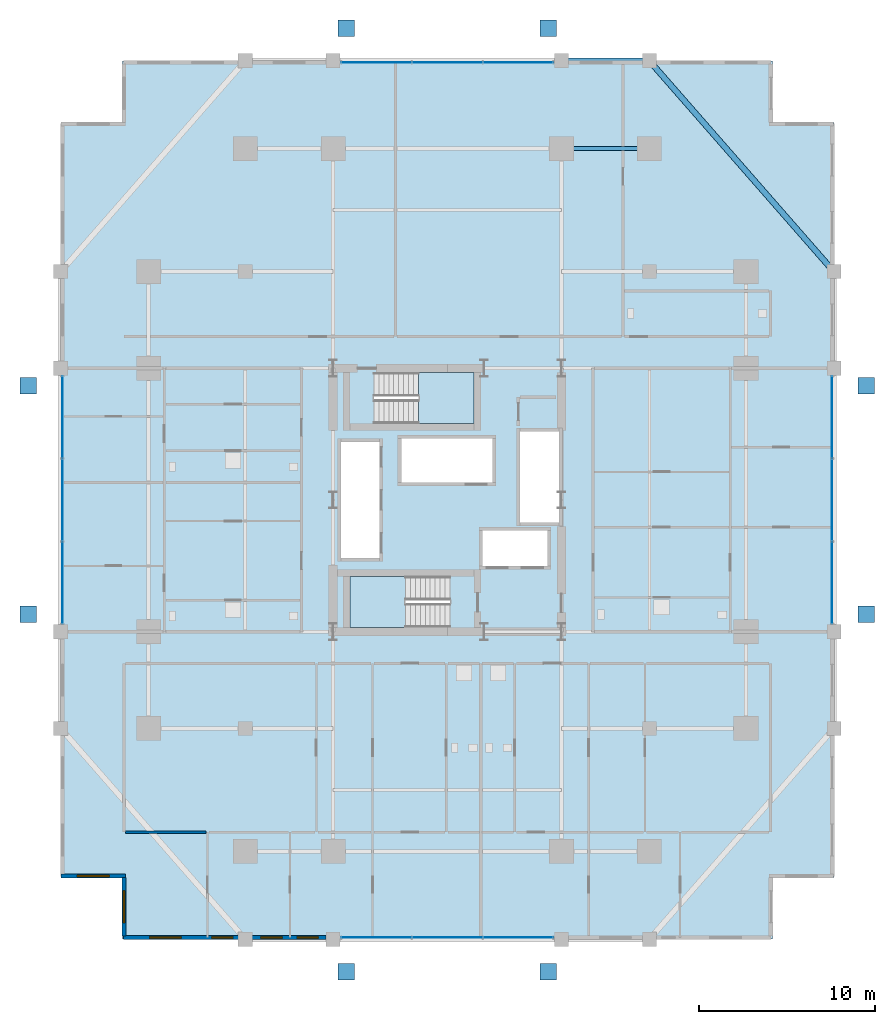
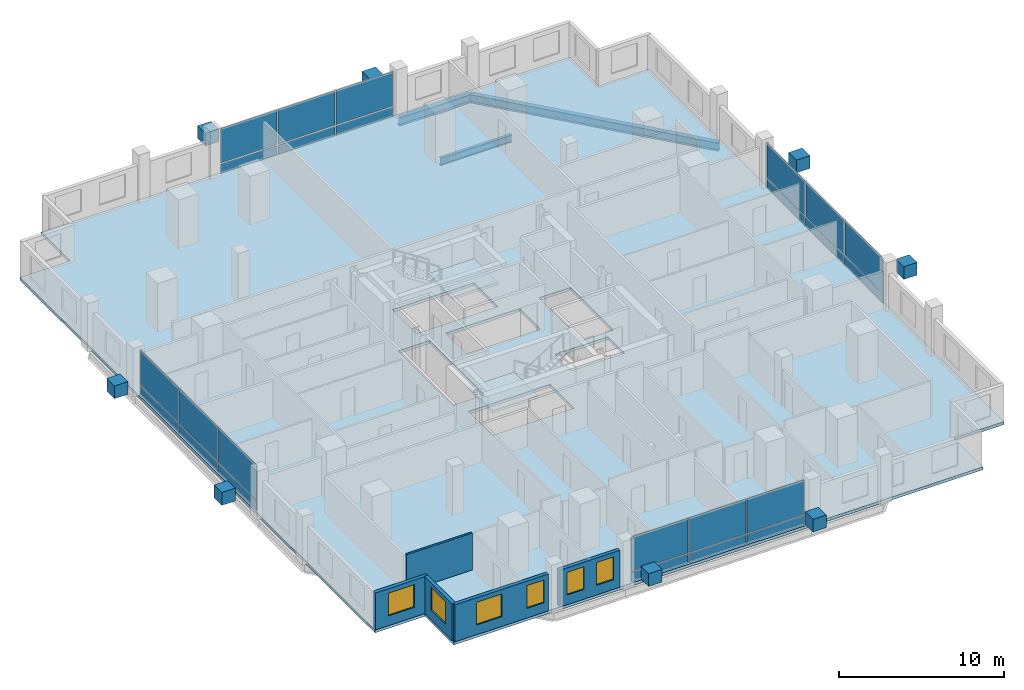
# One storey, part 16 of 23: 32 plates, 6 windows, 5 walls, 3 beams, 3 slabs, 6 openings, 6 elements without a shape of their own.
"""IFC4 building model written with IfcOpenShell, lengths in metres."""

import ifcopenshell
import ifcopenshell.guid

model = None  # the IFC model being written
_history = None  # IfcOwnerHistory: only IFC2X3 demands one
_inside = {}  # id of a spatial element -> (the spatial element, [elements in it])
_under = {}  # id of a project, library or spatial element -> (it, [spatial elements below it])
_declared = {}  # id of a project -> (the project, [libraries it declares])
_typed = {}  # id of a type object -> (the type object, [elements of that type])
_made_of = {}  # id of a material, layer set ... -> (it, [elements and type objects made of it])


def new_model(schema):
    """Start an empty IFC model of exactly this schema.

    Asked for "IFC4X3", IfcOpenShell would pick the latest addendum, in which some entities
    have other attributes; the version numbers below select the first issue.
    IFC2X3 requires an IfcOwnerHistory on every rooted entity: one is made here for all.
    """
    global model, _history
    if schema == "IFC4X3":
        model = ifcopenshell.file(schema_version=(4, 3, 0, 0))
    else:
        model = ifcopenshell.file(schema=schema)
    _inside.clear()
    _under.clear()
    _declared.clear()
    _typed.clear()
    _made_of.clear()
    _history = None
    if model.schema == "IFC2X3":
        org = make("IfcOrganization", Name="unknown")
        user = make(
            "IfcPersonAndOrganization",
            ThePerson=make("IfcPerson", FamilyName="unknown"),
            TheOrganization=org,
        )
        app = make(
            "IfcApplication",
            ApplicationDeveloper=org,
            Version="unknown",
            ApplicationFullName="unknown",
            ApplicationIdentifier="unknown",
        )
        _history = make(
            "IfcOwnerHistory",
            OwningUser=user,
            OwningApplication=app,
            ChangeAction="ADDED",
            CreationDate=0,
        )
    return model


def make(cls, **values):
    """One entity of the class cls with the attributes given. An attribute that is None is left unset."""
    return model.create_entity(
        cls, **{name: value for name, value in values.items() if value is not None}
    )


def rooted(cls, **values):
    """An entity with a GlobalId (a new one), such as an element, a storey or a relation."""
    return make(cls, GlobalId=ifcopenshell.guid.new(), OwnerHistory=_history, **values)


def si_unit(unit_type, name, prefix=None):
    """IfcSIUnit, for example si_unit("LENGTHUNIT", "METRE", prefix="MILLI")."""
    return make("IfcSIUnit", UnitType=unit_type, Prefix=prefix, Name=name)


def assignment(units):
    """IfcUnitAssignment: the units of a project."""
    return None if units is None else make("IfcUnitAssignment", Units=units)


def point(xyz):
    """IfcCartesianPoint."""
    return None if xyz is None else make("IfcCartesianPoint", Coordinates=xyz)


def direction(xyz):
    """IfcDirection."""
    return None if xyz is None else make("IfcDirection", DirectionRatios=xyz)


def frame(location, z_axis=None, x_axis=None):
    """IfcAxis2Placement3D, a coordinate frame: its origin and axes. An axis left out is left unset."""
    return make(
        "IfcAxis2Placement3D",
        Location=point(location),
        Axis=direction(z_axis),
        RefDirection=direction(x_axis),
    )


def frame_2d(location, x_axis=None):
    """IfcAxis2Placement2D, a coordinate frame in the plane: its origin and x axis."""
    return make(
        "IfcAxis2Placement2D", Location=point(location), RefDirection=direction(x_axis)
    )


def origin():
    """The frame at (0, 0, 0) with its axes left unset."""
    return frame((0.0, 0.0, 0.0))


def origin_2d():
    """The frame at (0, 0) in the plane with its x axis left unset."""
    return frame_2d((0.0, 0.0))


def place(relative_to, where):
    """IfcLocalPlacement: puts the frame where relative to a parent placement (None: the world)."""
    return make(
        "IfcLocalPlacement", PlacementRelTo=relative_to, RelativePlacement=where
    )


def context(
    kind, dimensions, precision=None, world=None, true_north=None, identifier=None
):
    """IfcGeometricRepresentationContext, for example the 3D "Model" context."""
    return make(
        "IfcGeometricRepresentationContext",
        ContextIdentifier=identifier,
        ContextType=kind,
        CoordinateSpaceDimension=dimensions,
        Precision=precision,
        WorldCoordinateSystem=world,
        TrueNorth=true_north,
    )


def subcontext(parent, identifier, kind, view, scale=None):
    """IfcGeometricRepresentationSubContext, for example "Body" below "Model"."""
    return make(
        "IfcGeometricRepresentationSubContext",
        ContextIdentifier=identifier,
        ContextType=kind,
        ParentContext=parent,
        TargetScale=scale,
        TargetView=view,
    )


def project(units=None, contexts=None):
    """IfcProject with its units and contexts."""
    return rooted(
        "IfcProject",
        Name="project",
        RepresentationContexts=contexts,
        UnitsInContext=assignment(units),
    )


def spatial(cls, under=None, at=None, **own):
    """A site, building, storey or space (cls), placed at a placement, below another one or the project."""
    s = rooted(cls, ObjectPlacement=at, **own)
    if under is not None:
        _under.setdefault(under.id(), (under, []))[1].append(s)
    return s


def polyline(points):
    """IfcPolyline through the points."""
    return make("IfcPolyline", Points=[point(p) for p in points])


def profile(cls, at=None, kind="AREA", **sizes):
    """A parametric profile (cls). Its sizes go by their IFC names, for example OverallWidth=200.0."""
    return make(cls, ProfileType=kind, Position=at, **sizes)


def rectangle(**sizes):
    """IfcRectangleProfileDef."""
    return profile("IfcRectangleProfileDef", **sizes)


def i_section(**sizes):
    """IfcIShapeProfileDef."""
    return profile("IfcIShapeProfileDef", **sizes)


def outline(outer, holes=None, kind="AREA"):
    """IfcArbitraryClosedProfileDef: a profile drawn as a closed curve; with holes, ...WithVoids."""
    if holes is None:
        return make("IfcArbitraryClosedProfileDef", ProfileType=kind, OuterCurve=outer)
    return make(
        "IfcArbitraryProfileDefWithVoids",
        ProfileType=kind,
        OuterCurve=outer,
        InnerCurves=holes,
    )


def extrude(swept, where, along, depth):
    """IfcExtrudedAreaSolid: the profile swept, set in the frame where, extruded along a direction by depth."""
    return make(
        "IfcExtrudedAreaSolid",
        SweptArea=swept,
        Position=where,
        ExtrudedDirection=direction(along),
        Depth=depth,
    )


def shape(context_of_items, identifier, shape_type, items):
    """IfcShapeRepresentation: the items that make up one representation, for example the "Body"."""
    return make(
        "IfcShapeRepresentation",
        ContextOfItems=context_of_items,
        RepresentationIdentifier=identifier,
        RepresentationType=shape_type,
        Items=items,
    )


def material(Name=None, Category=None):
    """IfcMaterial."""
    return make("IfcMaterial", Name=Name, Category=Category)


def layer(
    of_material, thickness, ventilated=None, Name=None, Category=None, Priority=None
):
    """IfcMaterialLayer: one layer of a wall or slab, of a material (None: an air gap)."""
    return make(
        "IfcMaterialLayer",
        Material=of_material,
        LayerThickness=thickness,
        IsVentilated=ventilated,
        Name=Name,
        Category=Category,
        Priority=Priority,
    )


def layer_set(layers, Name=None):
    """IfcMaterialLayerSet."""
    return make("IfcMaterialLayerSet", MaterialLayers=layers, LayerSetName=Name)


def material_profile(
    of_material, cross_section, Name=None, Category=None, Priority=None
):
    """IfcMaterialProfile: a cross section and its material."""
    return make(
        "IfcMaterialProfile",
        Name=Name,
        Material=of_material,
        Profile=cross_section,
        Priority=Priority,
        Category=Category,
    )


def profile_set(profiles, Name=None, composite=None):
    """IfcMaterialProfileSet."""
    return make(
        "IfcMaterialProfileSet",
        Name=Name,
        MaterialProfiles=profiles,
        CompositeProfile=composite,
    )


def made_of(thing, what):
    """Note that an element or type object is made of a material, layer set ...; save() writes the relation."""
    if what is not None:
        _made_of.setdefault(what.id(), (what, []))[1].append(thing)
    return thing


def type_object(cls, material=None, **own):
    """A type object (cls), such as IfcWallType, which elements share."""
    return made_of(rooted(cls, **own), material)


def element(
    cls,
    number,
    at=None,
    inside=None,
    cuts=None,
    type_object=None,
    material=None,
    context=None,
    identifier="Body",
    shape_type=None,
    held_by="IfcProductDefinitionShape",
    body=None,
    shapes=None,
    **own,
):
    """One element of the class cls, such as IfcWall. Its Tag is "e" and its number.

    at: its placement. inside: the storey or other place that contains it. cuts: it is an
    opening in that element (IfcRelVoidsElement). A single representation is given by context,
    identifier, shape_type and body (its items); several are given by shapes. held_by: the class
    of the entity that holds the representations. save() writes the other relations.
    """
    e = rooted(cls, Tag="e%d" % number, ObjectPlacement=at, **own)
    if body is not None:
        shapes = [shape(context, identifier, shape_type, body)]
    if shapes is not None:
        e.Representation = make(held_by, Representations=shapes)
    if inside is not None:
        _inside.setdefault(inside.id(), (inside, []))[1].append(e)
    if cuts is not None:
        rooted(
            "IfcRelVoidsElement", RelatingBuildingElement=cuts, RelatedOpeningElement=e
        )
    if type_object is not None:
        _typed.setdefault(type_object.id(), (type_object, []))[1].append(e)
    return made_of(e, material)


def fill(opening, filler):
    """IfcRelFillsElement: the door or window that sits in an opening."""
    return rooted(
        "IfcRelFillsElement",
        RelatingOpeningElement=opening,
        RelatedBuildingElement=filler,
    )


def aggregate(whole, parts):
    """IfcRelAggregates: a whole, such as a stair, and the parts it consists of."""
    return rooted("IfcRelAggregates", RelatingObject=whole, RelatedObjects=parts)


def save(model, path):
    """Write the relations noted so far, then the file.

    IfcRelAggregates (storeys below a building ...), IfcRelContainedInSpatialStructure (elements
    in a storey), IfcRelDefinesByType, IfcRelAssociatesMaterial and IfcRelDeclares: one each for
    every whole, place, type object, material and project.
    """
    for whole, parts in _under.values():
        aggregate(whole, parts)
    for where, things in _inside.values():
        rooted(
            "IfcRelContainedInSpatialStructure",
            RelatedElements=things,
            RelatingStructure=where,
        )
    for kind, things in _typed.values():
        rooted("IfcRelDefinesByType", RelatedObjects=things, RelatingType=kind)
    for what, things in _made_of.values():
        rooted("IfcRelAssociatesMaterial", RelatedObjects=things, RelatingMaterial=what)
    for by, libraries in _declared.values():
        rooted("IfcRelDeclares", RelatingContext=by, RelatedDefinitions=libraries)
    model.write(path)


model = new_model("IFC4")

# Units and contexts
model_context = context("Model", 3, precision=1e-05, world=origin(), true_north=direction((0.0, 1.0)))
body_context = subcontext(model_context, "Body", "Model", "MODEL_VIEW")
ifc_project = project(units=[si_unit("LENGTHUNIT", "METRE"), si_unit("AREAUNIT", "SQUARE_METRE"), si_unit("VOLUMEUNIT", "CUBIC_METRE"), si_unit("PLANEANGLEUNIT", "RADIAN"), si_unit("MASSUNIT", "GRAM", prefix="KILO")], contexts=[model_context])

# Site, building, storey
site_placement = place(None, origin())
site = spatial("IfcSite", under=ifc_project, at=site_placement, CompositionType="ELEMENT")
building_placement = place(site_placement, origin())
building = spatial("IfcBuilding", under=site, at=building_placement, Name="Barlavira Tower and Art Museum", CompositionType="ELEMENT")
storey_placement = place(building_placement, frame((0.0, 0.0, 54.0)))
storey = spatial("IfcBuildingStorey", under=building, at=storey_placement, Name="L12", CompositionType="ELEMENT", Elevation=54.0)

# Beams
ifc_material_1 = material(Name="Steel S355", Category="steel")
ifc_material_profile_1 = material_profile(ifc_material_1, i_section(OverallWidth=0.327880859375, OverallDepth=0.62890625, WebThickness=0.013916015625, FlangeThickness=0.021484375, at=origin_2d()), Name="W610x174.0")
ifc_profile_set_1 = profile_set([ifc_material_profile_1], Name="Steel S355")
beam_type_1 = type_object("IfcBeamType", Name="Perimeter Spandrel Edge Beam W610x174 Steel S355", PredefinedType="SPANDREL", material=ifc_profile_set_1)
beam_1_placement = place(storey_placement, frame((22.0, 13.0, -0.534423828125), z_axis=(-0.658504607869, 0.752576694707, 0.0), x_axis=(-0.752576694707, -0.658504607869, 0.0)))
element("IfcBeam", 1, at=beam_1_placement, inside=storey, type_object=beam_type_1, Name="L12 Spandrel 8", PredefinedType="SPANDREL", context=body_context, shape_type="SweptSolid", body=[
    extrude(i_section(OverallWidth=0.327880859375, OverallDepth=0.62890625, WebThickness=0.013916015625, FlangeThickness=0.021484375, at=origin_2d()), origin(), (0.0, 0.0, 1.0), 15.9453125),
])
beam_2_placement = place(storey_placement, frame((6.5, 25.0, -0.534423828125), z_axis=(1.0, 0.0, 0.0), x_axis=(0.0, 1.0, 0.0)))
element("IfcBeam", 2, at=beam_2_placement, inside=storey, type_object=beam_type_1, Name="L12 Spandrel 9", PredefinedType="SPANDREL", context=body_context, shape_type="SweptSolid", body=[
    extrude(i_section(OverallWidth=0.327880859375, OverallDepth=0.62890625, WebThickness=0.013916015625, FlangeThickness=0.021484375, at=origin_2d()), origin(), (0.0, 0.0, 1.0), 5.0),
])
ifc_material_profile_2 = material_profile(ifc_material_1, i_section(OverallWidth=0.214111328125, OverallDepth=0.549072265625, WebThickness=0.0146484375, FlangeThickness=0.023681640625, at=origin_2d()), Name="W530x138.0")
ifc_profile_set_2 = profile_set([ifc_material_profile_2], Name="Steel S355")
beam_type_2 = type_object("IfcBeamType", Name="Zone 1 Primary Floor Girder W530x138 Steel S355", PredefinedType="BEAM", material=ifc_profile_set_2)
beam_3_placement = place(storey_placement, frame((6.5, 20.0, -0.494384765625), z_axis=(1.0, 0.0, 0.0), x_axis=(0.0, 1.0, 0.0)))
element("IfcBeam", 3, at=beam_3_placement, inside=storey, type_object=beam_type_2, Name="L12 Girder M-N3", PredefinedType="BEAM", context=body_context, shape_type="SweptSolid", body=[
    extrude(i_section(OverallWidth=0.214111328125, OverallDepth=0.549072265625, WebThickness=0.0146484375, FlangeThickness=0.023681640625, at=origin_2d()), origin(), (0.0, 0.0, 1.0), 5.0),
])

# Curtain wall, plates
ifc_material_2 = material(Name="Low-iron coastal laminated glass", Category="glass")
ifc_layer_1 = layer(ifc_material_2, 0.179931640625, Name="Low-iron coastal laminated glass")
ifc_layer_set_1 = layer_set([ifc_layer_1], Name="Low-iron coastal laminated glass")
curtain_wall_type = type_object("IfcCurtainWallType", Name="Pale-Metal Unitised Curtain Wall Zone 1", PredefinedType="NOTDEFINED", material=ifc_layer_set_1)
curtain_wall_1_placement = place(storey_placement, origin())
curtain_wall_1 = element("IfcCurtainWall", 4, at=curtain_wall_1_placement, inside=storey, type_object=curtain_wall_type, Name="L12 Curtain Wall CW1-L12-S-B3", PredefinedType="NOTDEFINED")
ifc_material_3 = material(Name="Pale anodised aluminium", Category="aluminium")
ifc_layer_2 = layer(ifc_material_3, 0.044921875, Name="Pale anodised aluminium")
ifc_layer_set_2 = layer_set([ifc_layer_2], Name="Pale anodised aluminium")
plate_type_1 = type_object("IfcPlateType", Name="Curtain Wall Pale-Metal Spandrel Panel 45", PredefinedType="CURTAIN_PANEL", material=ifc_layer_set_2)
plate_1_placement = place(storey_placement, frame((-4.05322265625, -24.89990234375, 0.0400390625), z_axis=(0.0, 0.0, 1.0), x_axis=(1.0, 0.0, 0.0)))
plate_1 = element("IfcPlate", 5, at=plate_1_placement, type_object=plate_type_1, Name="CW1-L12-S-B3 Spandrel Panel 0", PredefinedType="CURTAIN_PANEL", context=body_context, shape_type="SweptSolid", body=[
    extrude(rectangle(XDim=3.953369140625, YDim=0.044921875, at=origin_2d()), origin(), (0.0, 0.0, 1.0), 0.6640625),
])
plate_2_placement = place(storey_placement, frame((0.0, -24.89990234375, 0.0400390625), z_axis=(0.0, 0.0, 1.0), x_axis=(1.0, 0.0, 0.0)))
plate_2 = element("IfcPlate", 6, at=plate_2_placement, type_object=plate_type_1, Name="CW1-L12-S-B3 Spandrel Panel 1", PredefinedType="CURTAIN_PANEL", context=body_context, shape_type="SweptSolid", body=[
    extrude(rectangle(XDim=3.953369140625, YDim=0.044921875, at=origin_2d()), origin(), (0.0, 0.0, 1.0), 0.6640625),
])
plate_3_placement = place(storey_placement, frame((4.05322265625, -24.89990234375, 0.0400390625), z_axis=(0.0, 0.0, 1.0), x_axis=(1.0, 0.0, 0.0)))
plate_3 = element("IfcPlate", 7, at=plate_3_placement, type_object=plate_type_1, Name="CW1-L12-S-B3 Spandrel Panel 2", PredefinedType="CURTAIN_PANEL", context=body_context, shape_type="SweptSolid", body=[
    extrude(rectangle(XDim=3.953369140625, YDim=0.044921875, at=origin_2d()), origin(), (0.0, 0.0, 1.0), 0.6640625),
])

curtain_wall_2_placement = place(storey_placement, origin())
curtain_wall_2 = element("IfcCurtainWall", 8, at=curtain_wall_2_placement, inside=storey, type_object=curtain_wall_type, Name="L12 Curtain Wall CW1-L12-N-B3", PredefinedType="NOTDEFINED")
plate_4_placement = place(storey_placement, frame((4.05322265625, 24.89990234375, 0.0400390625), z_axis=(0.0, 0.0, 1.0), x_axis=(-1.0, 0.0, 0.0)))
plate_4 = element("IfcPlate", 9, at=plate_4_placement, type_object=plate_type_1, Name="CW1-L12-N-B3 Spandrel Panel 0", PredefinedType="CURTAIN_PANEL", context=body_context, shape_type="SweptSolid", body=[
    extrude(rectangle(XDim=3.953369140625, YDim=0.044921875, at=origin_2d()), origin(), (0.0, 0.0, 1.0), 0.6640625),
])
plate_5_placement = place(storey_placement, frame((0.0, 24.89990234375, 0.0400390625), z_axis=(0.0, 0.0, 1.0), x_axis=(-1.0, 0.0, 0.0)))
plate_5 = element("IfcPlate", 10, at=plate_5_placement, type_object=plate_type_1, Name="CW1-L12-N-B3 Spandrel Panel 1", PredefinedType="CURTAIN_PANEL", context=body_context, shape_type="SweptSolid", body=[
    extrude(rectangle(XDim=3.953369140625, YDim=0.044921875, at=origin_2d()), origin(), (0.0, 0.0, 1.0), 0.6640625),
])
plate_6_placement = place(storey_placement, frame((-4.05322265625, 24.89990234375, 0.0400390625), z_axis=(0.0, 0.0, 1.0), x_axis=(-1.0, 0.0, 0.0)))
plate_6 = element("IfcPlate", 11, at=plate_6_placement, type_object=plate_type_1, Name="CW1-L12-N-B3 Spandrel Panel 2", PredefinedType="CURTAIN_PANEL", context=body_context, shape_type="SweptSolid", body=[
    extrude(rectangle(XDim=3.953369140625, YDim=0.044921875, at=origin_2d()), origin(), (0.0, 0.0, 1.0), 0.6640625),
])

curtain_wall_3_placement = place(storey_placement, origin())
curtain_wall_3 = element("IfcCurtainWall", 12, at=curtain_wall_3_placement, inside=storey, type_object=curtain_wall_type, Name="L12 Curtain Wall CW1-L12-W-B3", PredefinedType="NOTDEFINED")
plate_7_placement = place(storey_placement, frame((-21.89990234375, 4.719970703125, 0.0400390625), z_axis=(0.0, 0.0, 1.0), x_axis=(0.0, -1.0, 0.0)))
plate_7 = element("IfcPlate", 13, at=plate_7_placement, type_object=plate_type_1, Name="CW1-L12-W-B3 Spandrel Panel 0", PredefinedType="CURTAIN_PANEL", context=body_context, shape_type="SweptSolid", body=[
    extrude(rectangle(XDim=4.6201171875, YDim=0.044921875, at=origin_2d()), origin(), (0.0, 0.0, 1.0), 0.6640625),
])
plate_8_placement = place(storey_placement, frame((-21.89990234375, 0.0, 0.0400390625), z_axis=(0.0, 0.0, 1.0), x_axis=(0.0, -1.0, 0.0)))
plate_8 = element("IfcPlate", 14, at=plate_8_placement, type_object=plate_type_1, Name="CW1-L12-W-B3 Spandrel Panel 1", PredefinedType="CURTAIN_PANEL", context=body_context, shape_type="SweptSolid", body=[
    extrude(rectangle(XDim=4.6201171875, YDim=0.044921875, at=origin_2d()), origin(), (0.0, 0.0, 1.0), 0.6640625),
])
plate_9_placement = place(storey_placement, frame((-21.89990234375, -4.719970703125, 0.0400390625), z_axis=(0.0, 0.0, 1.0), x_axis=(0.0, -1.0, 0.0)))
plate_9 = element("IfcPlate", 15, at=plate_9_placement, type_object=plate_type_1, Name="CW1-L12-W-B3 Spandrel Panel 2", PredefinedType="CURTAIN_PANEL", context=body_context, shape_type="SweptSolid", body=[
    extrude(rectangle(XDim=4.6201171875, YDim=0.044921875, at=origin_2d()), origin(), (0.0, 0.0, 1.0), 0.6640625),
])

curtain_wall_4_placement = place(storey_placement, origin())
curtain_wall_4 = element("IfcCurtainWall", 16, at=curtain_wall_4_placement, inside=storey, type_object=curtain_wall_type, Name="L12 Curtain Wall CW1-L12-E-B3", PredefinedType="NOTDEFINED")
plate_10_placement = place(storey_placement, frame((21.89990234375, -4.719970703125, 0.0400390625), z_axis=(0.0, 0.0, 1.0), x_axis=(0.0, 1.0, 0.0)))
plate_10 = element("IfcPlate", 17, at=plate_10_placement, type_object=plate_type_1, Name="CW1-L12-E-B3 Spandrel Panel 0", PredefinedType="CURTAIN_PANEL", context=body_context, shape_type="SweptSolid", body=[
    extrude(rectangle(XDim=4.6201171875, YDim=0.044921875, at=origin_2d()), origin(), (0.0, 0.0, 1.0), 0.6640625),
])
plate_11_placement = place(storey_placement, frame((21.89990234375, 0.0, 0.0400390625), z_axis=(0.0, 0.0, 1.0), x_axis=(0.0, 1.0, 0.0)))
plate_11 = element("IfcPlate", 18, at=plate_11_placement, type_object=plate_type_1, Name="CW1-L12-E-B3 Spandrel Panel 1", PredefinedType="CURTAIN_PANEL", context=body_context, shape_type="SweptSolid", body=[
    extrude(rectangle(XDim=4.6201171875, YDim=0.044921875, at=origin_2d()), origin(), (0.0, 0.0, 1.0), 0.6640625),
])
plate_12_placement = place(storey_placement, frame((21.89990234375, 4.719970703125, 0.0400390625), z_axis=(0.0, 0.0, 1.0), x_axis=(0.0, 1.0, 0.0)))
plate_12 = element("IfcPlate", 19, at=plate_12_placement, type_object=plate_type_1, Name="CW1-L12-E-B3 Spandrel Panel 2", PredefinedType="CURTAIN_PANEL", context=body_context, shape_type="SweptSolid", body=[
    extrude(rectangle(XDim=4.6201171875, YDim=0.044921875, at=origin_2d()), origin(), (0.0, 0.0, 1.0), 0.6640625),
])

# Plate
ifc_layer_3 = layer(ifc_material_2, 0.028076171875, Name="Low-iron coastal laminated glass")
ifc_layer_set_3 = layer_set([ifc_layer_3], Name="Low-iron coastal laminated glass")
plate_type_2 = type_object("IfcPlateType", Name="Curtain Wall Vision Glazing Panel 28", PredefinedType="CURTAIN_PANEL", material=ifc_layer_set_3)
plate_13_placement = place(storey_placement, frame((-4.05322265625, -24.89990234375, 0.7841796875), z_axis=(0.0, 0.0, 1.0), x_axis=(1.0, 0.0, 0.0)))
plate_13 = element("IfcPlate", 20, at=plate_13_placement, type_object=plate_type_2, Name="CW1-L12-S-B3 Vision Glass Panel 0", PredefinedType="CURTAIN_PANEL", context=body_context, shape_type="SweptSolid", body=[
    extrude(rectangle(XDim=3.953369140625, YDim=0.028076171875, at=origin_2d()), origin(), (0.0, 0.0, 1.0), 2.555908203125),
])

plate_14_placement = place(storey_placement, frame((0.0, -24.89990234375, 0.7841796875), z_axis=(0.0, 0.0, 1.0), x_axis=(1.0, 0.0, 0.0)))
plate_14 = element("IfcPlate", 21, at=plate_14_placement, type_object=plate_type_2, Name="CW1-L12-S-B3 Vision Glass Panel 1", PredefinedType="CURTAIN_PANEL", context=body_context, shape_type="SweptSolid", body=[
    extrude(rectangle(XDim=3.953369140625, YDim=0.028076171875, at=origin_2d()), origin(), (0.0, 0.0, 1.0), 2.555908203125),
])

plate_15_placement = place(storey_placement, frame((4.05322265625, -24.89990234375, 0.7841796875), z_axis=(0.0, 0.0, 1.0), x_axis=(1.0, 0.0, 0.0)))
plate_15 = element("IfcPlate", 22, at=plate_15_placement, type_object=plate_type_2, Name="CW1-L12-S-B3 Vision Glass Panel 2", PredefinedType="CURTAIN_PANEL", context=body_context, shape_type="SweptSolid", body=[
    extrude(rectangle(XDim=3.953369140625, YDim=0.028076171875, at=origin_2d()), origin(), (0.0, 0.0, 1.0), 2.555908203125),
])

aggregate(curtain_wall_1, [plate_1, plate_13, plate_2, plate_14, plate_3, plate_15])

plate_16_placement = place(storey_placement, frame((4.05322265625, 24.89990234375, 0.7841796875), z_axis=(0.0, 0.0, 1.0), x_axis=(-1.0, 0.0, 0.0)))
plate_16 = element("IfcPlate", 23, at=plate_16_placement, type_object=plate_type_2, Name="CW1-L12-N-B3 Vision Glass Panel 0", PredefinedType="CURTAIN_PANEL", context=body_context, shape_type="SweptSolid", body=[
    extrude(rectangle(XDim=3.953369140625, YDim=0.028076171875, at=origin_2d()), origin(), (0.0, 0.0, 1.0), 2.555908203125),
])

plate_17_placement = place(storey_placement, frame((0.0, 24.89990234375, 0.7841796875), z_axis=(0.0, 0.0, 1.0), x_axis=(-1.0, 0.0, 0.0)))
plate_17 = element("IfcPlate", 24, at=plate_17_placement, type_object=plate_type_2, Name="CW1-L12-N-B3 Vision Glass Panel 1", PredefinedType="CURTAIN_PANEL", context=body_context, shape_type="SweptSolid", body=[
    extrude(rectangle(XDim=3.953369140625, YDim=0.028076171875, at=origin_2d()), origin(), (0.0, 0.0, 1.0), 2.555908203125),
])

plate_18_placement = place(storey_placement, frame((-4.05322265625, 24.89990234375, 0.7841796875), z_axis=(0.0, 0.0, 1.0), x_axis=(-1.0, 0.0, 0.0)))
plate_18 = element("IfcPlate", 25, at=plate_18_placement, type_object=plate_type_2, Name="CW1-L12-N-B3 Vision Glass Panel 2", PredefinedType="CURTAIN_PANEL", context=body_context, shape_type="SweptSolid", body=[
    extrude(rectangle(XDim=3.953369140625, YDim=0.028076171875, at=origin_2d()), origin(), (0.0, 0.0, 1.0), 2.555908203125),
])

aggregate(curtain_wall_2, [plate_4, plate_16, plate_5, plate_17, plate_6, plate_18])

plate_19_placement = place(storey_placement, frame((-21.89990234375, 4.719970703125, 0.7841796875), z_axis=(0.0, 0.0, 1.0), x_axis=(0.0, -1.0, 0.0)))
plate_19 = element("IfcPlate", 26, at=plate_19_placement, type_object=plate_type_2, Name="CW1-L12-W-B3 Vision Glass Panel 0", PredefinedType="CURTAIN_PANEL", context=body_context, shape_type="SweptSolid", body=[
    extrude(rectangle(XDim=4.6201171875, YDim=0.028076171875, at=origin_2d()), origin(), (0.0, 0.0, 1.0), 2.555908203125),
])

plate_20_placement = place(storey_placement, frame((-21.89990234375, 0.0, 0.7841796875), z_axis=(0.0, 0.0, 1.0), x_axis=(0.0, -1.0, 0.0)))
plate_20 = element("IfcPlate", 27, at=plate_20_placement, type_object=plate_type_2, Name="CW1-L12-W-B3 Vision Glass Panel 1", PredefinedType="CURTAIN_PANEL", context=body_context, shape_type="SweptSolid", body=[
    extrude(rectangle(XDim=4.6201171875, YDim=0.028076171875, at=origin_2d()), origin(), (0.0, 0.0, 1.0), 2.555908203125),
])

plate_21_placement = place(storey_placement, frame((-21.89990234375, -4.719970703125, 0.7841796875), z_axis=(0.0, 0.0, 1.0), x_axis=(0.0, -1.0, 0.0)))
plate_21 = element("IfcPlate", 28, at=plate_21_placement, type_object=plate_type_2, Name="CW1-L12-W-B3 Vision Glass Panel 2", PredefinedType="CURTAIN_PANEL", context=body_context, shape_type="SweptSolid", body=[
    extrude(rectangle(XDim=4.6201171875, YDim=0.028076171875, at=origin_2d()), origin(), (0.0, 0.0, 1.0), 2.555908203125),
])

aggregate(curtain_wall_3, [plate_7, plate_19, plate_8, plate_20, plate_9, plate_21])

plate_22_placement = place(storey_placement, frame((21.89990234375, -4.719970703125, 0.7841796875), z_axis=(0.0, 0.0, 1.0), x_axis=(0.0, 1.0, 0.0)))
plate_22 = element("IfcPlate", 29, at=plate_22_placement, type_object=plate_type_2, Name="CW1-L12-E-B3 Vision Glass Panel 0", PredefinedType="CURTAIN_PANEL", context=body_context, shape_type="SweptSolid", body=[
    extrude(rectangle(XDim=4.6201171875, YDim=0.028076171875, at=origin_2d()), origin(), (0.0, 0.0, 1.0), 2.555908203125),
])

plate_23_placement = place(storey_placement, frame((21.89990234375, 0.0, 0.7841796875), z_axis=(0.0, 0.0, 1.0), x_axis=(0.0, 1.0, 0.0)))
plate_23 = element("IfcPlate", 30, at=plate_23_placement, type_object=plate_type_2, Name="CW1-L12-E-B3 Vision Glass Panel 1", PredefinedType="CURTAIN_PANEL", context=body_context, shape_type="SweptSolid", body=[
    extrude(rectangle(XDim=4.6201171875, YDim=0.028076171875, at=origin_2d()), origin(), (0.0, 0.0, 1.0), 2.555908203125),
])

plate_24_placement = place(storey_placement, frame((21.89990234375, 4.719970703125, 0.7841796875), z_axis=(0.0, 0.0, 1.0), x_axis=(0.0, 1.0, 0.0)))
plate_24 = element("IfcPlate", 31, at=plate_24_placement, type_object=plate_type_2, Name="CW1-L12-E-B3 Vision Glass Panel 2", PredefinedType="CURTAIN_PANEL", context=body_context, shape_type="SweptSolid", body=[
    extrude(rectangle(XDim=4.6201171875, YDim=0.028076171875, at=origin_2d()), origin(), (0.0, 0.0, 1.0), 2.555908203125),
])

aggregate(curtain_wall_4, [plate_10, plate_22, plate_11, plate_23, plate_12, plate_24])

# Plates
ifc_layer_4 = layer(ifc_material_1, 0.93994140625, Name="Steel S355")
ifc_layer_set_4 = layer_set([ifc_layer_4], Name="Steel S355")
plate_type_3 = type_object("IfcPlateType", Name="Exoskeleton Solid Steel Node Cap Plate Assembly Type 1 Steel S355", PredefinedType="USERDEFINED", material=ifc_layer_set_4)
for number, where, z_axis, x_axis, name in (
    (32, (-5.75, -26.85009765625, 1.2099609375), (0.0, 0.0, 1.0), (1.0, 0.0, 0.0), "Exoskeleton Diamond Node S1 ND-L12-0080"),
    (33, (5.75, -26.85009765625, 1.2099609375), (0.0, 0.0, 1.0), (1.0, 0.0, 0.0), "Exoskeleton Diamond Node S2 ND-L12-0081"),
    (34, (-5.75, 26.85009765625, 1.2099609375), (0.0, 0.0, 1.0), (1.0, 0.0, 0.0), "Exoskeleton Diamond Node N1 ND-L12-0088"),
    (35, (5.75, 26.85009765625, 1.2099609375), (0.0, 0.0, 1.0), (1.0, 0.0, 0.0), "Exoskeleton Diamond Node N2 ND-L12-0089"),
    (36, (-23.85009765625, -6.5, 1.2099609375), (0.0, 0.0, 1.0), (1.0, 0.0, 0.0), "Exoskeleton Diamond Node W1 ND-L12-0096"),
    (37, (-23.85009765625, 6.5, 1.2099609375), (0.0, 0.0, 1.0), (1.0, 0.0, 0.0), "Exoskeleton Diamond Node W2 ND-L12-0097"),
    (38, (23.85009765625, -6.5, 1.2099609375), (0.0, 0.0, 1.0), (1.0, 0.0, 0.0), "Exoskeleton Diamond Node E1 ND-L12-0104"),
    (39, (23.85009765625, 6.5, 1.2099609375), (0.0, 0.0, 1.0), (1.0, 0.0, 0.0), "Exoskeleton Diamond Node E2 ND-L12-0105"),
):
    element("IfcPlate", number, at=place(storey_placement, frame(where, z_axis=z_axis, x_axis=x_axis)), inside=storey, type_object=plate_type_3, Name=name, ObjectType="FLANGE_PLATE", PredefinedType="USERDEFINED", context=body_context, shape_type="SweptSolid", body=[
        extrude(rectangle(XDim=0.93994140625, YDim=0.93994140625, at=origin_2d()), origin(), (0.0, 0.0, 1.0), 0.93994140625),
    ])

# Stair, slab
ifc_material_4 = material(Name="Concrete C45", Category="concrete")
stair_type_1 = type_object("IfcStairType", Name="Tower North Dog-Leg Exit Stair Assembly Concrete C45", PredefinedType="TWO_QUARTER_TURN_STAIR", material=ifc_material_4)
stair_1_placement = place(storey_placement, origin())
stair_1 = element("IfcStair", 40, at=stair_1_placement, inside=storey, type_object=stair_type_1, Name="L12 Tower North Exit Stair ST-T2", PredefinedType="TWO_QUARTER_TURN_STAIR")
ifc_layer_5 = layer(ifc_material_4, 0.199951171875, Name="Concrete C45")
ifc_layer_set_5 = layer_set([ifc_layer_5], Name="Concrete C45")
slab_type_1 = type_object("IfcSlabType", Name="Tower North Dog-Leg Exit Stair Half-Landing Slab 200 Concrete C45", PredefinedType="LANDING", material=ifc_layer_set_5)
slab_1_placement = place(storey_placement, frame((0.0, 0.0, 1.60009765625)))
slab_1 = element("IfcSlab", 41, at=slab_1_placement, type_object=slab_type_1, Name="ST-T2 landing 1", PredefinedType="LANDING", context=body_context, shape_type="SweptSolid", body=[
    extrude(outline(polyline([(-1.64990234375, 4.35009765625), (1.530029296875, 4.35009765625), (1.530029296875, 7.25), (-1.64990234375, 7.25), (-1.64990234375, 4.35009765625)])), origin(), (0.0, 0.0, 1.0), 0.199951171875),
])
aggregate(stair_1, [slab_1])

stair_type_2 = type_object("IfcStairType", Name="Tower South Dog-Leg Exit Stair Assembly Concrete C45", PredefinedType="TWO_QUARTER_TURN_STAIR", material=ifc_material_4)
stair_2_placement = place(storey_placement, origin())
stair_2 = element("IfcStair", 42, at=stair_2_placement, inside=storey, type_object=stair_type_2, Name="L12 Tower South Exit Stair ST-T1", PredefinedType="TWO_QUARTER_TURN_STAIR")
ifc_layer_6 = layer(ifc_material_4, 0.199951171875, Name="Concrete C45")
ifc_layer_set_6 = layer_set([ifc_layer_6], Name="Concrete C45")
slab_type_2 = type_object("IfcSlabType", Name="Tower South Dog-Leg Exit Stair Half-Landing Slab 200 Concrete C45", PredefinedType="LANDING", material=ifc_layer_set_6)
slab_2_placement = place(storey_placement, frame((0.0, 0.0, 1.60009765625)))
slab_2 = element("IfcSlab", 43, at=slab_2_placement, type_object=slab_type_2, Name="ST-T1 landing 1", PredefinedType="LANDING", context=body_context, shape_type="SweptSolid", body=[
    extrude(outline(polyline([(-2.3701171875, -4.35009765625), (-5.550048828125, -4.35009765625), (-5.550048828125, -7.25), (-2.3701171875, -7.25), (-2.3701171875, -4.35009765625)])), origin(), (0.0, 0.0, 1.0), 0.199951171875),
])
aggregate(stair_2, [slab_2])

# Slab
ifc_material_5 = material(Name="Concrete C50", Category="concrete")
ifc_layer_7 = layer(ifc_material_5, 0.219970703125, Name="Concrete C50")
ifc_layer_set_7 = layer_set([ifc_layer_7], Name="Concrete C50")
slab_type_3 = type_object("IfcSlabType", Name="Zone 1 Residential Composite Slab 220 Concrete C50", PredefinedType="FLOOR", material=ifc_layer_set_7)
slab_3_placement = place(storey_placement, frame((0.0, 0.0, -0.219970703125)))
element("IfcSlab", 44, at=slab_3_placement, inside=storey, type_object=slab_type_3, Name="L12 Tower Floor Slab", PredefinedType="FLOOR", context=body_context, shape_type="SweptSolid", body=[
    extrude(outline(polyline([(-18.5, -25.0), (18.5, -25.0), (18.5, -21.5), (22.0, -21.5), (22.0, 21.5), (18.5, 21.5), (18.5, 25.0), (-18.5, 25.0), (-18.5, 21.5), (-22.0, 21.5), (-22.0, -21.5), (-18.5, -21.5), (-18.5, -25.0)]), holes=[polyline([(0.14990234375, -4.35009765625), (-5.550048828125, -4.35009765625), (-5.550048828125, -7.25), (0.14990234375, -7.25), (0.14990234375, -4.35009765625)]), polyline([(-4.169921875, 4.35009765625), (1.530029296875, 4.35009765625), (1.530029296875, 7.25), (-4.169921875, 7.25), (-4.169921875, 4.35009765625)]), polyline([(-6.050048828125, -3.31005859375), (-3.85009765625, -3.31005859375), (-3.85009765625, 3.31005859375), (-6.050048828125, 3.31005859375), (-6.050048828125, -3.31005859375)]), polyline([(4.14990234375, -1.2900390625), (6.35009765625, -1.2900390625), (6.35009765625, 3.889892578125), (4.14990234375, 3.889892578125), (4.14990234375, -1.2900390625)]), polyline([(-2.6201171875, 1.0), (2.56005859375, 1.0), (2.56005859375, 3.5), (-2.6201171875, 3.5), (-2.6201171875, 1.0)]), polyline([(2.0, -3.75), (5.699951171875, -3.75), (5.699951171875, -1.75), (2.0, -1.75), (2.0, -3.75)])]), origin(), (0.0, 0.0, 1.0), 0.219970703125),
])

# Wall
ifc_material_6 = material(Name="Gypsum acoustic stud partition", Category="gypsum")
ifc_layer_8 = layer(ifc_material_6, 0.139892578125, Name="Gypsum acoustic stud partition")
ifc_layer_set_8 = layer_set([ifc_layer_8], Name="Gypsum acoustic stud partition")
wall_type_1 = type_object("IfcWallType", Name="Moisture-Resistant Bathroom Partition 140", PredefinedType="PARTITIONING", material=ifc_layer_set_8)
wall_1_placement = place(storey_placement, frame((-18.320068359375, -18.89990234375, 0.0), z_axis=(0.0, 0.0, 1.0), x_axis=(1.0, 0.0, 0.0)))
element("IfcWall", 45, at=wall_1_placement, inside=storey, type_object=wall_type_1, Name="L12 Partition Wall 21", PredefinedType="PARTITIONING", context=body_context, shape_type="SweptSolid", body=[
    extrude(rectangle(XDim=4.590087890625, YDim=0.139892578125, at=frame_2d((2.294921875, 0.0))), origin(), (0.0, 0.0, 1.0), 2.736083984375),
])

# Wall, openings, windows
ifc_material_7 = material(Name="Precast concrete C40", Category="concrete")
ifc_layer_9 = layer(ifc_material_7, 0.25, Name="Precast concrete C40")
ifc_layer_set_9 = layer_set([ifc_layer_9], Name="Precast concrete C40")
wall_type_2 = type_object("IfcWallType", Name="Notched Corner Spandrel Wall 250 Precast Concrete C40", PredefinedType="SOLIDWALL", material=ifc_layer_set_9)
wall_2_placement = place(storey_placement, frame((-18.425048828125, -24.89990234375, 0.0), z_axis=(0.0, 0.0, 1.0), x_axis=(1.0, 0.0, 0.0)))
wall_2 = element("IfcWall", 46, at=wall_2_placement, inside=storey, type_object=wall_type_2, Name="L12 Coastal Facade Pier Wall CW1-L12-S-1", PredefinedType="SOLIDWALL", context=body_context, shape_type="SweptSolid", body=[
    extrude(rectangle(XDim=6.530029296875, YDim=0.25, at=frame_2d((3.26513671875, 0.0))), origin(), (0.0, 0.0, 1.0), 2.736083984375),
])
opening_1_placement = place(wall_2_placement, frame((1.47802734375, 0.0, 0.719970703125)))
opening_1 = element("IfcOpeningElement", 47, at=opening_1_placement, cuts=wall_2, Name="Opening WN-01", PredefinedType="OPENING", context=body_context, shape_type="SweptSolid", body=[
    extrude(rectangle(XDim=1.800048828125, YDim=1.679931640625, at=frame_2d((0.89990234375, 0.83984375))), frame((0.0, 0.135009765625, 0.0), z_axis=(0.0, -1.0, 0.0), x_axis=(1.0, 0.0, 0.0)), (0.0, 0.0, 1.0), 0.27001953125),
])
opening_2_placement = place(wall_2_placement, frame((5.02001953125, 0.0, 0.719970703125)))
opening_2 = element("IfcOpeningElement", 48, at=opening_2_placement, cuts=wall_2, Name="Opening WN-05", PredefinedType="OPENING", context=body_context, shape_type="SweptSolid", body=[
    extrude(rectangle(XDim=1.199951171875, YDim=1.679931640625, at=frame_2d((0.60009765625, 0.83984375))), frame((0.0, 0.135009765625, 0.0), z_axis=(0.0, -1.0, 0.0), x_axis=(1.0, 0.0, 0.0)), (0.0, 0.0, 1.0), 0.27001953125),
])
window_type_1 = type_object("IfcWindowType", Name="Recessed Flank Pier Punch Window 1200x1680", PartitioningType="SINGLE_PANEL", PredefinedType="WINDOW", material=ifc_material_2)
window_1_placement = place(opening_2_placement, origin())
window_1 = element("IfcWindow", 49, at=window_1_placement, inside=storey, type_object=window_type_1, Name="L12 Punched Facade Window EWP-CW1-L12-S-1-2", OverallHeight=1.679931640625, OverallWidth=1.199951171875, PartitioningType="SINGLE_PANEL", PredefinedType="WINDOW", context=body_context, shape_type="SweptSolid", body=[
    extrude(rectangle(XDim=1.199951171875, YDim=1.679931640625, at=frame_2d((0.60009765625, 0.83984375))), frame((0.0, 0.030029296875, 0.0), z_axis=(0.0, -1.0, 0.0), x_axis=(1.0, 0.0, 0.0)), (0.0, 0.0, 1.0), 0.06005859375),
])
fill(opening_2, window_1)
window_type_2 = type_object("IfcWindowType", Name="Recessed Notch Corner Punch Window 1800x1680", PartitioningType="SINGLE_PANEL", PredefinedType="WINDOW", material=ifc_material_2)
window_2_placement = place(opening_1_placement, origin())
window_2 = element("IfcWindow", 50, at=window_2_placement, inside=storey, type_object=window_type_2, Name="L12 Punched Facade Window EWP-CW1-L12-S-1-1", OverallHeight=1.679931640625, OverallWidth=1.800048828125, PartitioningType="SINGLE_PANEL", PredefinedType="WINDOW", context=body_context, shape_type="SweptSolid", body=[
    extrude(rectangle(XDim=1.800048828125, YDim=1.679931640625, at=frame_2d((0.89990234375, 0.83984375))), frame((0.0, 0.030029296875, 0.0), z_axis=(0.0, -1.0, 0.0), x_axis=(1.0, 0.0, 0.0)), (0.0, 0.0, 1.0), 0.06005859375),
])
fill(opening_1, window_2)

wall_3_placement = place(storey_placement, frame((-11.10498046875, -24.89990234375, 0.0), z_axis=(0.0, 0.0, 1.0), x_axis=(1.0, 0.0, 0.0)))
wall_3 = element("IfcWall", 51, at=wall_3_placement, inside=storey, type_object=wall_type_2, Name="L12 Coastal Facade Pier Wall CW1-L12-S-2", PredefinedType="SOLIDWALL", context=body_context, shape_type="SweptSolid", body=[
    extrude(rectangle(XDim=4.2099609375, YDim=0.25, at=frame_2d((2.10498046875, 0.0))), origin(), (0.0, 0.0, 1.0), 2.736083984375),
])
opening_3_placement = place(wall_3_placement, frame((0.5, 0.0, 0.719970703125)))
opening_3 = element("IfcOpeningElement", 52, at=opening_3_placement, cuts=wall_3, Name="Opening WN-05", PredefinedType="OPENING", context=body_context, shape_type="SweptSolid", body=[
    extrude(rectangle(XDim=1.199951171875, YDim=1.679931640625, at=frame_2d((0.60009765625, 0.83984375))), frame((0.0, 0.135009765625, 0.0), z_axis=(0.0, -1.0, 0.0), x_axis=(1.0, 0.0, 0.0)), (0.0, 0.0, 1.0), 0.27001953125),
])
opening_4_placement = place(wall_3_placement, frame((2.56005859375, 0.0, 0.719970703125)))
opening_4 = element("IfcOpeningElement", 53, at=opening_4_placement, cuts=wall_3, Name="Opening WN-05", PredefinedType="OPENING", context=body_context, shape_type="SweptSolid", body=[
    extrude(rectangle(XDim=1.199951171875, YDim=1.679931640625, at=frame_2d((0.60009765625, 0.83984375))), frame((0.0, 0.135009765625, 0.0), z_axis=(0.0, -1.0, 0.0), x_axis=(1.0, 0.0, 0.0)), (0.0, 0.0, 1.0), 0.27001953125),
])
window_3_placement = place(opening_3_placement, origin())
window_3 = element("IfcWindow", 54, at=window_3_placement, inside=storey, type_object=window_type_1, Name="L12 Punched Facade Window EWP-CW1-L12-S-2-1", OverallHeight=1.679931640625, OverallWidth=1.199951171875, PartitioningType="SINGLE_PANEL", PredefinedType="WINDOW", context=body_context, shape_type="SweptSolid", body=[
    extrude(rectangle(XDim=1.199951171875, YDim=1.679931640625, at=frame_2d((0.60009765625, 0.83984375))), frame((0.0, 0.030029296875, 0.0), z_axis=(0.0, -1.0, 0.0), x_axis=(1.0, 0.0, 0.0)), (0.0, 0.0, 1.0), 0.06005859375),
])
fill(opening_3, window_3)
window_4_placement = place(opening_4_placement, origin())
window_4 = element("IfcWindow", 55, at=window_4_placement, inside=storey, type_object=window_type_1, Name="L12 Punched Facade Window EWP-CW1-L12-S-2-2", OverallHeight=1.679931640625, OverallWidth=1.199951171875, PartitioningType="SINGLE_PANEL", PredefinedType="WINDOW", context=body_context, shape_type="SweptSolid", body=[
    extrude(rectangle(XDim=1.199951171875, YDim=1.679931640625, at=frame_2d((0.60009765625, 0.83984375))), frame((0.0, 0.030029296875, 0.0), z_axis=(0.0, -1.0, 0.0), x_axis=(1.0, 0.0, 0.0)), (0.0, 0.0, 1.0), 0.06005859375),
])
fill(opening_4, window_4)

# Wall, opening, window
wall_4_placement = place(storey_placement, frame((-21.97998046875, -21.39990234375, 0.0), z_axis=(0.0, 0.0, 1.0), x_axis=(1.0, 0.0, 0.0)))
wall_4 = element("IfcWall", 56, at=wall_4_placement, inside=storey, type_object=wall_type_2, Name="L12 Notch Corner Wall SW1", PredefinedType="SOLIDWALL", context=body_context, shape_type="SweptSolid", body=[
    extrude(rectangle(XDim=3.659912109375, YDim=0.25, at=frame_2d((1.830078125, 0.0))), origin(), (0.0, 0.0, 1.0), 2.736083984375),
])
opening_5_placement = place(wall_4_placement, frame((0.929931640625, 0.0, 0.719970703125)))
opening_5 = element("IfcOpeningElement", 57, at=opening_5_placement, cuts=wall_4, Name="Opening WN-01", PredefinedType="OPENING", context=body_context, shape_type="SweptSolid", body=[
    extrude(rectangle(XDim=1.800048828125, YDim=1.679931640625, at=frame_2d((0.89990234375, 0.83984375))), frame((0.0, 0.135009765625, 0.0), z_axis=(0.0, -1.0, 0.0), x_axis=(1.0, 0.0, 0.0)), (0.0, 0.0, 1.0), 0.27001953125),
])
window_5_placement = place(opening_5_placement, origin())
window_5 = element("IfcWindow", 58, at=window_5_placement, inside=storey, type_object=window_type_2, Name="L12 Punched Facade Window EW-NTC-L12-SW1-1", OverallHeight=1.679931640625, OverallWidth=1.800048828125, PartitioningType="SINGLE_PANEL", PredefinedType="WINDOW", context=body_context, shape_type="SweptSolid", body=[
    extrude(rectangle(XDim=1.800048828125, YDim=1.679931640625, at=frame_2d((0.89990234375, 0.83984375))), frame((0.0, 0.030029296875, 0.0), z_axis=(0.0, -1.0, 0.0), x_axis=(1.0, 0.0, 0.0)), (0.0, 0.0, 1.0), 0.06005859375),
])
fill(opening_5, window_5)

wall_5_placement = place(storey_placement, frame((-18.39990234375, -21.47998046875, 0.0), z_axis=(0.0, 0.0, 1.0), x_axis=(0.0, -1.0, 0.0)))
wall_5 = element("IfcWall", 59, at=wall_5_placement, inside=storey, type_object=wall_type_2, Name="L12 Notch Corner Wall SW2", PredefinedType="SOLIDWALL", context=body_context, shape_type="SweptSolid", body=[
    extrude(rectangle(XDim=3.340087890625, YDim=0.25, at=frame_2d((1.669921875, 0.0))), origin(), (0.0, 0.0, 1.0), 2.736083984375),
])
opening_6_placement = place(wall_5_placement, frame((0.77001953125, 0.0, 0.719970703125)))
opening_6 = element("IfcOpeningElement", 60, at=opening_6_placement, cuts=wall_5, Name="Opening WN-01", PredefinedType="OPENING", context=body_context, shape_type="SweptSolid", body=[
    extrude(rectangle(XDim=1.800048828125, YDim=1.679931640625, at=frame_2d((0.89990234375, 0.83984375))), frame((0.0, 0.135009765625, 0.0), z_axis=(0.0, -1.0, 0.0), x_axis=(1.0, 0.0, 0.0)), (0.0, 0.0, 1.0), 0.27001953125),
])
window_6_placement = place(opening_6_placement, origin())
window_6 = element("IfcWindow", 61, at=window_6_placement, inside=storey, type_object=window_type_2, Name="L12 Punched Facade Window EW-NTC-L12-SW2-1", OverallHeight=1.679931640625, OverallWidth=1.800048828125, PartitioningType="SINGLE_PANEL", PredefinedType="WINDOW", context=body_context, shape_type="SweptSolid", body=[
    extrude(rectangle(XDim=1.800048828125, YDim=1.679931640625, at=frame_2d((0.89990234375, 0.83984375))), frame((0.0, 0.030029296875, 0.0), z_axis=(0.0, -1.0, 0.0), x_axis=(1.0, 0.0, 0.0)), (0.0, 0.0, 1.0), 0.06005859375),
])
fill(opening_6, window_6)

save(model, "model.ifc")
